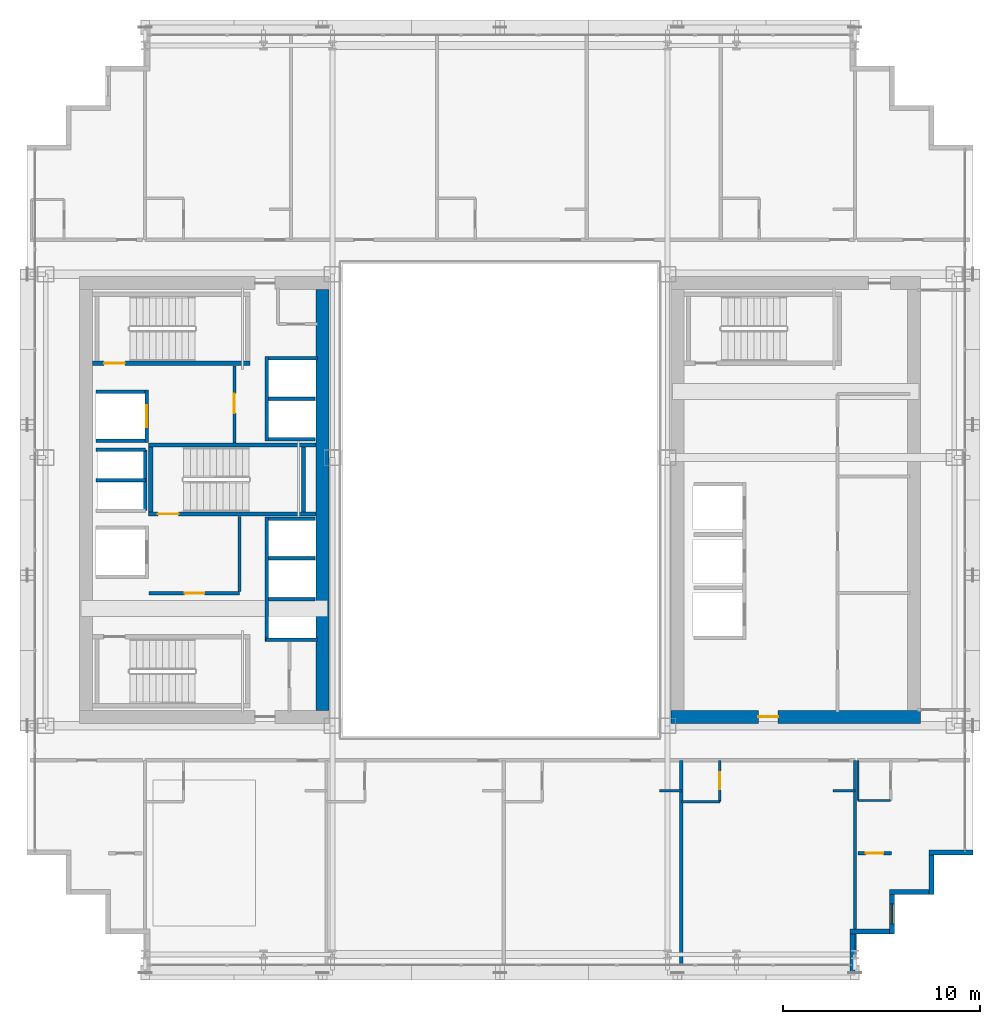
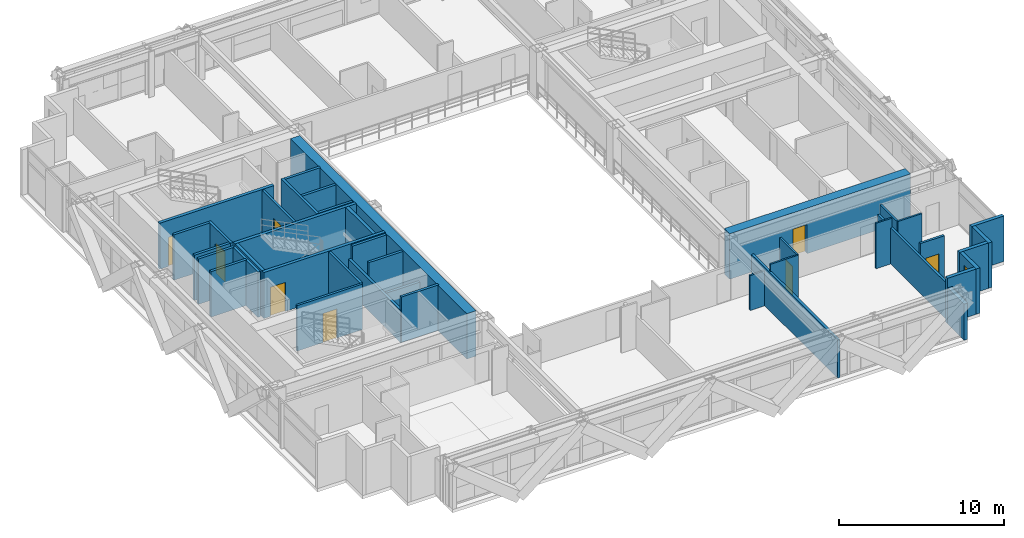
# One storey, part 28 of 35: 40 walls, 8 doors, 1 window, 9 openings.
"""IFC4 building model written with IfcOpenShell, lengths in metres."""

from ifc_helpers import new_model, si_unit, direction, frame, frame_2d, origin, place, context, subcontext, project, spatial, rectangle, extrude, source, transform, mapped, material, layer, layer_set, type_object, element, fill, save


model = new_model("IFC4")

# Units and contexts
model_context = context("Model", 3, precision=1e-05, world=origin(), true_north=direction((0.0, 1.0)))
body_context = subcontext(model_context, "Body", "Model", "MODEL_VIEW")
ifc_project = project(units=[si_unit("LENGTHUNIT", "METRE"), si_unit("AREAUNIT", "SQUARE_METRE"), si_unit("VOLUMEUNIT", "CUBIC_METRE"), si_unit("PLANEANGLEUNIT", "RADIAN"), si_unit("MASSUNIT", "GRAM", prefix="KILO")], contexts=[model_context])

# Site, building, storey
site_placement = place(None, origin())
site = spatial("IfcSite", under=ifc_project, at=site_placement, CompositionType="ELEMENT")
building_placement = place(site_placement, origin())
building = spatial("IfcBuilding", under=site, at=building_placement, Name="Ocotamira Hotel", CompositionType="ELEMENT")
storey_placement = place(building_placement, frame((0.0, 0.0, 115.199951171875)))
storey = spatial("IfcBuildingStorey", under=building, at=storey_placement, Name="L28", CompositionType="ELEMENT", Elevation=115.199951171875)

# Wall
ifc_material_1 = material(Name="Concrete C60/75", Category="concrete")
ifc_layer_1 = layer(ifc_material_1, 0.64990234375)
ifc_layer_set_1 = layer_set([ifc_layer_1], Name="Concrete C60/75")
wall_type_1 = type_object("IfcWallType", Name="WL-CORE-650", PredefinedType="SHEAR", material=ifc_layer_set_1)
wall_1_placement = place(storey_placement, frame((23.0, 15.324951171875, 0.0), z_axis=(0.0, 0.0, 1.0), x_axis=(0.0, 1.0, 0.0)))
element("IfcWall", 1, at=wall_1_placement, inside=storey, type_object=wall_type_1, Name="L28 Shear Core Wall WCORE-E", PredefinedType="SHEAR", context=body_context, shape_type="SweptSolid", body=[
    extrude(rectangle(XDim=21.35009765625, YDim=0.64990234375, at=frame_2d((10.675048828125, 0.0))), origin(), (0.0, 0.0, 1.0), 3.360107421875),
])

# Wall, opening, door
wall_2_placement = place(storey_placement, frame((40.675048828125, 15.0, 0.0), z_axis=(0.0, 0.0, 1.0), x_axis=(1.0, 0.0, 0.0)))
wall_2 = element("IfcWall", 2, at=wall_2_placement, inside=storey, type_object=wall_type_1, Name="L28 Shear Core Wall ECORE-S", PredefinedType="SHEAR", context=body_context, shape_type="SweptSolid", body=[
    extrude(rectangle(XDim=12.64990234375, YDim=0.64990234375, at=frame_2d((6.324951171875, 0.0))), origin(), (0.0, 0.0, 1.0), 3.360107421875),
])
opening_1_placement = place(wall_2_placement, frame((4.425048828125, 0.0, 0.0)))
opening_1 = element("IfcOpeningElement", 3, at=opening_1_placement, cuts=wall_2, Name="Opening D-FR2", PredefinedType="OPENING", context=body_context, shape_type="SweptSolid", body=[
    extrude(rectangle(XDim=1.0, YDim=2.14990234375, at=frame_2d((0.5, 1.074951171875))), frame((0.0, 0.3349609375, 0.0), z_axis=(0.0, -1.0, 0.0), x_axis=(1.0, 0.0, 0.0)), (0.0, 0.0, 1.0), 0.669921875),
])
ifc_material_2 = material(Name="Fire-rated acoustic timber-veneer door", Category="wood")
door_type_1 = type_object("IfcDoorType", Name="DR-FIRE-1000", OperationType="NOTDEFINED", PredefinedType="DOOR", material=ifc_material_2)
shared_shape_1 = source(origin(), body_context, "Body", "SweptSolid", [
    extrude(rectangle(XDim=1.0, YDim=2.14990234375, at=frame_2d((0.5, 1.074951171875))), frame((0.0, 0.02490234375, 0.0), z_axis=(0.0, -1.0, 0.0), x_axis=(1.0, 0.0, 0.0)), (0.0, 0.0, 1.0), 0.050048828125),
])
door_1_placement = place(opening_1_placement, origin())
door_1 = element("IfcDoor", 4, at=door_1_placement, inside=storey, type_object=door_type_1, Name="L28 Door ID-L28-ELOB-S-D [ID-L28-ELOB-S-D]", OperationType="SINGLE_SWING_RIGHT", OverallHeight=2.14990234375, OverallWidth=1.0, PredefinedType="DOOR", context=body_context, shape_type="MappedRepresentation", body=[
    mapped(shared_shape_1, transform((0.0, 0.0, 0.0), scale=1.0)),
])
fill(opening_1, door_1)

# Walls
ifc_material_3 = material(Name="Precast concrete C45/55", Category="concrete")
ifc_layer_2 = layer(ifc_material_3, 0.25)
ifc_layer_set_2 = layer_set([ifc_layer_2], Name="Precast concrete C45/55")
wall_type_2 = type_object("IfcWallType", Name="WL-EXT-SER-250", PredefinedType="SOLIDWALL", material=ifc_layer_set_2)
wall_3_placement = place(storey_placement, frame((49.875, 2.0, 0.0), z_axis=(0.0, 0.0, 1.0), x_axis=(0.0, 1.0, 0.0)))
element("IfcWall", 5, at=wall_3_placement, inside=storey, type_object=wall_type_2, Name="L28 Serrated Corner Wall 01", PredefinedType="SOLIDWALL", context=body_context, shape_type="SweptSolid", body=[
    extrude(rectangle(XDim=2.0, YDim=0.25, at=frame_2d((1.0, 0.0))), origin(), (0.0, 0.0, 1.0), 2.6669921875),
])
wall_4_placement = place(storey_placement, frame((49.75, 4.125, 0.0), z_axis=(0.0, 0.0, 1.0), x_axis=(1.0, 0.0, 0.0)))
element("IfcWall", 6, at=wall_4_placement, inside=storey, type_object=wall_type_2, Name="L28 Serrated Corner Wall 02", PredefinedType="SOLIDWALL", context=body_context, shape_type="SweptSolid", body=[
    extrude(rectangle(XDim=2.0, YDim=0.25, at=frame_2d((1.0, 0.0))), origin(), (0.0, 0.0, 1.0), 3.360107421875),
])

# Wall, opening, window
wall_5_placement = place(storey_placement, frame((51.875, 4.0, 0.0), z_axis=(0.0, 0.0, 1.0), x_axis=(0.0, 1.0, 0.0)))
wall_5 = element("IfcWall", 7, at=wall_5_placement, inside=storey, type_object=wall_type_2, Name="L28 Serrated Corner Wall 03", PredefinedType="SOLIDWALL", context=body_context, shape_type="SweptSolid", body=[
    extrude(rectangle(XDim=2.0, YDim=0.25, at=frame_2d((1.0, 0.0))), origin(), (0.0, 0.0, 1.0), 3.360107421875),
])
opening_2_placement = place(wall_5_placement, frame((0.5, 0.0, 0.85009765625)))
opening_2 = element("IfcOpeningElement", 8, at=opening_2_placement, cuts=wall_5, Name="Opening WN-2", PredefinedType="OPENING", context=body_context, shape_type="SweptSolid", body=[
    extrude(rectangle(XDim=1.0, YDim=1.89990234375, at=frame_2d((0.5, 0.949951171875))), frame((0.0, 0.135009765625, 0.0), z_axis=(0.0, -1.0, 0.0), x_axis=(1.0, 0.0, 0.0)), (0.0, 0.0, 1.0), 0.27001953125),
])
ifc_material_4 = material(Name="Double-silver low-E solar glass", Category="glass")
window_type = type_object("IfcWindowType", Name="WIN-SER-1100", PartitioningType="SINGLE_PANEL", PredefinedType="WINDOW", material=ifc_material_4)
shared_shape_2 = source(origin(), body_context, "Body", "SweptSolid", [
    extrude(rectangle(XDim=1.0, YDim=1.89990234375, at=frame_2d((0.5, 0.949951171875))), frame((0.0, 0.030029296875, 0.0), z_axis=(0.0, -1.0, 0.0), x_axis=(1.0, 0.0, 0.0)), (0.0, 0.0, 1.0), 0.06005859375),
])
window_placement = place(opening_2_placement, origin())
window = element("IfcWindow", 9, at=window_placement, inside=storey, type_object=window_type, Name="L28 Serrated Corner Window 03", OverallHeight=1.89990234375, OverallWidth=1.0, PartitioningType="SINGLE_PANEL", PredefinedType="WINDOW", context=body_context, shape_type="MappedRepresentation", body=[
    mapped(shared_shape_2, transform((0.0, 0.0, 0.0), scale=1.0)),
])
fill(opening_2, window)

# Walls
for number, where, z_axis, x_axis, name in (
    (10, (51.75, 6.125, 0.0), (0.0, 0.0, 1.0), (1.0, 0.0, 0.0), "L28 Serrated Corner Wall 04"),
    (11, (53.875, 6.0, 0.0), (0.0, 0.0, 1.0), (0.0, 1.0, 0.0), "L28 Serrated Corner Wall 05"),
):
    element("IfcWall", number, at=place(storey_placement, frame(where, z_axis=z_axis, x_axis=x_axis)), inside=storey, type_object=wall_type_2, Name=name, PredefinedType="SOLIDWALL", context=body_context, shape_type="SweptSolid", body=[
        extrude(rectangle(XDim=2.0, YDim=0.25, at=frame_2d((1.0, 0.0))), origin(), (0.0, 0.0, 1.0), 3.360107421875),
    ])
wall_6_placement = place(storey_placement, frame((53.75, 8.125, 0.0), z_axis=(0.0, 0.0, 1.0), x_axis=(1.0, 0.0, 0.0)))
element("IfcWall", 12, at=wall_6_placement, inside=storey, type_object=wall_type_2, Name="L28 Serrated Corner Wall 06", PredefinedType="SOLIDWALL", context=body_context, shape_type="SweptSolid", body=[
    extrude(rectangle(XDim=2.25, YDim=0.25, at=frame_2d((1.125, 0.0))), origin(), (0.0, 0.0, 1.0), 3.360107421875),
])

# Wall, opening, door
ifc_material_5 = material(Name="Acoustic double-layer fire gypsum board partition", Category="gypsum")
ifc_layer_3 = layer(ifc_material_5, 0.159912109375)
ifc_layer_set_3 = layer_set([ifc_layer_3], Name="Acoustic double-layer fire gypsum board partition")
wall_type_3 = type_object("IfcWallType", Name="WL-FIRE-160", PredefinedType="PARTITIONING", material=ifc_layer_set_3)
wall_7_placement = place(storey_placement, frame((14.199951171875, 21.27001953125, 0.0), z_axis=(0.0, 0.0, 1.0), x_axis=(1.0, 0.0, 0.0)))
wall_7 = element("IfcWall", 13, at=wall_7_placement, inside=storey, type_object=wall_type_3, Name="L28 Interior Wall PW-L28-FSAE1-S", PredefinedType="PARTITIONING", context=body_context, shape_type="SweptSolid", body=[
    extrude(rectangle(XDim=4.580078125, YDim=0.159912109375, at=frame_2d((2.2900390625, 0.0))), origin(), (0.0, 0.0, 1.0), 3.360107421875),
])
opening_3_placement = place(wall_7_placement, frame((1.800048828125, 0.0, 0.0)))
opening_3 = element("IfcOpeningElement", 14, at=opening_3_placement, cuts=wall_7, Name="Opening D-FR2", PredefinedType="OPENING", context=body_context, shape_type="SweptSolid", body=[
    extrude(rectangle(XDim=1.0, YDim=2.14990234375, at=frame_2d((0.5, 1.074951171875))), frame((0.0, 0.08984375, 0.0), z_axis=(0.0, -1.0, 0.0), x_axis=(1.0, 0.0, 0.0)), (0.0, 0.0, 1.0), 0.179931640625),
])
door_2_placement = place(opening_3_placement, origin())
door_2 = element("IfcDoor", 15, at=door_2_placement, inside=storey, type_object=door_type_1, Name="L28 Door ID-L28-FSAE1-D [ID-L28-FSAE1-D]", OperationType="SINGLE_SWING_LEFT", OverallHeight=2.14990234375, OverallWidth=1.0, PredefinedType="DOOR", context=body_context, shape_type="MappedRepresentation", body=[
    mapped(shared_shape_1, transform((0.0, 0.0, 0.0), scale=1.0)),
])
fill(opening_3, door_2)

# Wall
wall_8_placement = place(storey_placement, frame((18.780029296875, 21.35009765625, 0.0), z_axis=(0.0, 0.0, 1.0), x_axis=(0.0, 1.0, 0.0)))
element("IfcWall", 16, at=wall_8_placement, inside=storey, type_object=wall_type_3, Name="L28 Interior Wall PW-L28-FSAE1-E", PredefinedType="PARTITIONING", context=body_context, shape_type="SweptSolid", body=[
    extrude(rectangle(XDim=3.809814453125, YDim=0.159912109375, at=frame_2d((1.90478515625, 0.0))), origin(), (0.0, 0.0, 1.0), 3.360107421875),
])

# Wall, opening, door
wall_9_placement = place(storey_placement, frame((18.530029296875, 28.89990234375, 0.0), z_axis=(0.0, 0.0, 1.0), x_axis=(0.0, 1.0, 0.0)))
wall_9 = element("IfcWall", 17, at=wall_9_placement, inside=storey, type_object=wall_type_3, Name="L28 Interior Wall PW-L28-FSAE2-E", PredefinedType="PARTITIONING", context=body_context, shape_type="SweptSolid", body=[
    extrude(rectangle(XDim=3.900146484375, YDim=0.159912109375, at=frame_2d((1.9501953125, 0.0))), origin(), (0.0, 0.0, 1.0), 3.360107421875),
])
opening_4_placement = place(wall_9_placement, frame((1.5, 0.0, 0.0)))
opening_4 = element("IfcOpeningElement", 18, at=opening_4_placement, cuts=wall_9, Name="Opening D-FR2", PredefinedType="OPENING", context=body_context, shape_type="SweptSolid", body=[
    extrude(rectangle(XDim=1.0, YDim=2.14990234375, at=frame_2d((0.5, 1.074951171875))), frame((0.0, 0.08984375, 0.0), z_axis=(0.0, -1.0, 0.0), x_axis=(1.0, 0.0, 0.0)), (0.0, 0.0, 1.0), 0.179931640625),
])
door_3_placement = place(opening_4_placement, origin())
door_3 = element("IfcDoor", 19, at=door_3_placement, inside=storey, type_object=door_type_1, Name="L28 Door ID-L28-FSAE2-D [ID-L28-FSAE2-D]", OperationType="SINGLE_SWING_RIGHT", OverallHeight=2.14990234375, OverallWidth=1.0, PredefinedType="DOOR", context=body_context, shape_type="MappedRepresentation", body=[
    mapped(shared_shape_1, transform((0.0, 0.0, 0.0), scale=1.0)),
])
fill(opening_4, door_3)

wall_10_placement = place(storey_placement, frame((50.14990234375, 8.080078125, 0.0), z_axis=(0.0, 0.0, 1.0), x_axis=(1.0, 0.0, 0.0)))
wall_10 = element("IfcWall", 20, at=wall_10_placement, inside=storey, type_object=wall_type_3, Name="L28 Interior Wall PW-L28-Z2B-CSE2-CW", PredefinedType="PARTITIONING", context=body_context, shape_type="SweptSolid", body=[
    extrude(rectangle(XDim=1.7001953125, YDim=0.159912109375, at=frame_2d((0.85009765625, 0.0))), origin(), (0.0, 0.0, 1.0), 3.360107421875),
])
opening_5_placement = place(wall_10_placement, frame((0.409912109375, 0.0, 0.0)))
opening_5 = element("IfcOpeningElement", 21, at=opening_5_placement, cuts=wall_10, Name="Opening D-SV2", PredefinedType="OPENING", context=body_context, shape_type="SweptSolid", body=[
    extrude(rectangle(XDim=0.8798828125, YDim=2.14990234375, at=frame_2d((0.43994140625, 1.074951171875))), frame((0.0, 0.08984375, 0.0), z_axis=(0.0, -1.0, 0.0), x_axis=(1.0, 0.0, 0.0)), (0.0, 0.0, 1.0), 0.179931640625),
])
ifc_material_6 = material(Name="Fire-rated painted steel service door", Category="steel")
door_type_2 = type_object("IfcDoorType", Name="DR-SERV-880", OperationType="NOTDEFINED", PredefinedType="DOOR", material=ifc_material_6)
shared_shape_3 = source(origin(), body_context, "Body", "SweptSolid", [
    extrude(rectangle(XDim=0.8798828125, YDim=2.14990234375, at=frame_2d((0.43994140625, 1.074951171875))), frame((0.0, 0.02490234375, 0.0), z_axis=(0.0, -1.0, 0.0), x_axis=(1.0, 0.0, 0.0)), (0.0, 0.0, 1.0), 0.050048828125),
])
door_4_placement = place(opening_5_placement, origin())
door_4 = element("IfcDoor", 22, at=door_4_placement, inside=storey, type_object=door_type_2, Name="L28 Door ID-L28-Z2B-CSE2-CD [ID-L28-Z2B-CSE2-CD]", OperationType="SINGLE_SWING_LEFT", OverallHeight=2.14990234375, OverallWidth=0.8798828125, PredefinedType="DOOR", context=body_context, shape_type="MappedRepresentation", body=[
    mapped(shared_shape_3, transform((0.0, 0.0, 0.0), scale=1.0)),
])
fill(opening_5, door_4)

# Walls
ifc_material_7 = material(Name="Moisture-resistant en-suite tile and gypsum partition", Category="gypsum")
ifc_layer_4 = layer(ifc_material_7, 0.1201171875)
ifc_layer_set_4 = layer_set([ifc_layer_4], Name="Moisture-resistant en-suite tile and gypsum partition")
wall_type_4 = type_object("IfcWallType", Name="WL-PART-120", PredefinedType="PARTITIONING", material=ifc_layer_set_4)
wall_11_placement = place(storey_placement, frame((50.159912109375, 10.760009765625, 0.0), z_axis=(0.0, 0.0, 1.0), x_axis=(0.0, 1.0, 0.0)))
element("IfcWall", 23, at=wall_11_placement, inside=storey, type_object=wall_type_4, Name="L28 Interior Wall PW-L28-Z2B-CSE-BW", PredefinedType="PARTITIONING", context=body_context, shape_type="SweptSolid", body=[
    extrude(rectangle(XDim=2.0400390625, YDim=0.1201171875, at=frame_2d((1.02001953125, 0.0))), origin(), (0.0, 0.0, 1.0), 3.360107421875),
])
wall_12_placement = place(storey_placement, frame((50.159912109375, 10.760009765625, 0.0), z_axis=(0.0, 0.0, 1.0), x_axis=(1.0, 0.0, 0.0)))
element("IfcWall", 24, at=wall_12_placement, inside=storey, type_object=wall_type_4, Name="L28 Interior Wall PW-L28-Z2B-CSE-BH", PredefinedType="PARTITIONING", context=body_context, shape_type="SweptSolid", body=[
    extrude(rectangle(XDim=1.650146484375, YDim=0.1201171875, at=frame_2d((0.8251953125, 0.0))), origin(), (0.0, 0.0, 1.0), 3.360107421875),
])
wall_13_placement = place(storey_placement, frame((40.10009765625, 11.25, 0.0), z_axis=(0.0, 0.0, 1.0), x_axis=(1.0, 0.0, 0.0)))
element("IfcWall", 25, at=wall_13_placement, inside=storey, type_object=wall_type_4, Name="L28 Interior Wall PW-L28-Z2BS-DRN3", PredefinedType="PARTITIONING", context=body_context, shape_type="SweptSolid", body=[
    extrude(rectangle(XDim=1.099853515625, YDim=0.1201171875, at=frame_2d((0.5498046875, 0.0))), origin(), (0.0, 0.0, 1.0), 2.5810546875),
])

# Wall, opening, door
wall_14_placement = place(storey_placement, frame((43.14990234375, 10.699951171875, 0.0), z_axis=(0.0, 0.0, 1.0), x_axis=(0.0, 1.0, 0.0)))
wall_14 = element("IfcWall", 26, at=wall_14_placement, inside=storey, type_object=wall_type_4, Name="L28 Interior Wall PW-L28-Z2BS-BAE4", PredefinedType="PARTITIONING", context=body_context, shape_type="SweptSolid", body=[
    extrude(rectangle(XDim=2.10009765625, YDim=0.1201171875, at=frame_2d((1.050048828125, 0.0))), origin(), (0.0, 0.0, 1.0), 3.360107421875),
])
opening_6_placement = place(wall_14_placement, frame((0.6201171875, 0.0, 0.0)))
opening_6 = element("IfcOpeningElement", 27, at=opening_6_placement, cuts=wall_14, Name="Opening D-BA1", PredefinedType="OPENING", context=body_context, shape_type="SweptSolid", body=[
    extrude(rectangle(XDim=0.860107421875, YDim=2.10009765625, at=frame_2d((0.43017578125, 1.050048828125))), frame((0.0, 0.070068359375, 0.0), z_axis=(0.0, -1.0, 0.0), x_axis=(1.0, 0.0, 0.0)), (0.0, 0.0, 1.0), 0.14013671875),
])
ifc_material_8 = material(Name="Moisture-sealed en-suite timber door", Category="wood")
door_type_3 = type_object("IfcDoorType", Name="DR-BATH-860", OperationType="NOTDEFINED", PredefinedType="DOOR", material=ifc_material_8)
shared_shape_4 = source(origin(), body_context, "Body", "SweptSolid", [
    extrude(rectangle(XDim=0.860107421875, YDim=2.10009765625, at=frame_2d((0.43017578125, 1.050048828125))), frame((0.0, 0.02490234375, 0.0), z_axis=(0.0, -1.0, 0.0), x_axis=(1.0, 0.0, 0.0)), (0.0, 0.0, 1.0), 0.050048828125),
])
door_5_placement = place(opening_6_placement, origin())
door_5 = element("IfcDoor", 28, at=door_5_placement, inside=storey, type_object=door_type_3, Name="L28 Door ID-L28-Z2BS-BAD4 [ID-L28-Z2BS-BAD4]", OperationType="SINGLE_SWING_LEFT", OverallHeight=2.10009765625, OverallWidth=0.860107421875, PredefinedType="DOOR", context=body_context, shape_type="MappedRepresentation", body=[
    mapped(shared_shape_4, transform((0.0, 0.0, 0.0), scale=1.0)),
])
fill(opening_6, door_5)

# Walls
wall_15_placement = place(storey_placement, frame((41.199951171875, 10.699951171875, 0.0), z_axis=(0.0, 0.0, 1.0), x_axis=(1.0, 0.0, 0.0)))
element("IfcWall", 29, at=wall_15_placement, inside=storey, type_object=wall_type_4, Name="L28 Interior Wall PW-L28-Z2BS-BAS4", PredefinedType="PARTITIONING", context=body_context, shape_type="SweptSolid", body=[
    extrude(rectangle(XDim=1.949951171875, YDim=0.1201171875, at=frame_2d((0.97509765625, 0.0))), origin(), (0.0, 0.0, 1.0), 3.360107421875),
])
wall_16_placement = place(storey_placement, frame((48.89990234375, 11.25, 0.0), z_axis=(0.0, 0.0, 1.0), x_axis=(1.0, 0.0, 0.0)))
element("IfcWall", 30, at=wall_16_placement, inside=storey, type_object=wall_type_4, Name="L28 Interior Wall PW-L28-Z2BS-DRN4", PredefinedType="PARTITIONING", context=body_context, shape_type="SweptSolid", body=[
    extrude(rectangle(XDim=1.10009765625, YDim=0.1201171875, at=frame_2d((0.550048828125, 0.0))), origin(), (0.0, 0.0, 1.0), 3.360107421875),
])
ifc_material_9 = material(Name="Acoustic double-stud hospitality gypsum partition", Category="gypsum")
ifc_layer_5 = layer(ifc_material_9, 0.159912109375)
ifc_layer_set_5 = layer_set([ifc_layer_5], Name="Acoustic double-stud hospitality gypsum partition")
wall_type_5 = type_object("IfcWallType", Name="WL-PART-160", PredefinedType="PARTITIONING", material=ifc_layer_set_5)
wall_17_placement = place(storey_placement, frame((50.0, 2.360107421875, 0.0), z_axis=(0.0, 0.0, 1.0), x_axis=(0.0, 1.0, 0.0)))
element("IfcWall", 31, at=wall_17_placement, inside=storey, type_object=wall_type_5, Name="L28 Interior Wall PW-L28-Z2BS-PWEND", PredefinedType="PARTITIONING", context=body_context, shape_type="SweptSolid", body=[
    extrude(rectangle(XDim=10.43994140625, YDim=0.159912109375, at=frame_2d((5.219970703125, 0.0))), origin(), (0.0, 0.0, 1.0), 2.6669921875),
])
ifc_material_10 = material(Name="Double-stud suite party gypsum partition", Category="gypsum")
ifc_layer_6 = layer(ifc_material_10, 0.175048828125)
ifc_layer_set_6 = layer_set([ifc_layer_6], Name="Double-stud suite party gypsum partition")
wall_type_6 = type_object("IfcWallType", Name="WL-PART-175", PredefinedType="PARTITIONING", material=ifc_layer_set_6)
wall_18_placement = place(storey_placement, frame((41.199951171875, 2.360107421875, 0.0), z_axis=(0.0, 0.0, 1.0), x_axis=(0.0, 1.0, 0.0)))
element("IfcWall", 32, at=wall_18_placement, inside=storey, type_object=wall_type_6, Name="L28 Interior Wall PW-L28-Z2BS-PW3", PredefinedType="PARTITIONING", context=body_context, shape_type="SweptSolid", body=[
    extrude(rectangle(XDim=10.43994140625, YDim=0.175048828125, at=frame_2d((5.219970703125, 0.0))), origin(), (0.0, 0.0, 1.0), 2.822998046875),
])
ifc_material_11 = material(Name="Fire-rated gypsum shaftliner board assembly", Category="gypsum")
ifc_layer_7 = layer(ifc_material_11, 0.179931640625)
ifc_layer_set_7 = layer_set([ifc_layer_7], Name="Fire-rated gypsum shaftliner board assembly")
wall_type_7 = type_object("IfcWallType", Name="WL-SHAFT-180", PredefinedType="SOLIDWALL", material=ifc_layer_set_7)
wall_19_placement = place(storey_placement, frame((20.159912109375, 18.820068359375, 0.0), z_axis=(0.0, 0.0, 1.0), x_axis=(0.0, 1.0, 0.0)))
element("IfcWall", 33, at=wall_19_placement, inside=storey, type_object=wall_type_7, Name="L28 Interior Wall PW-L28-LFW-BANK-high-F", PredefinedType="SOLIDWALL", context=body_context, shape_type="SweptSolid", body=[
    extrude(rectangle(XDim=6.31982421875, YDim=0.179931640625, at=frame_2d((3.159912109375, 0.0))), origin(), (0.0, 0.0, 1.0), 2.360107421875),
])
wall_20_placement = place(storey_placement, frame((20.1201171875, 18.909912109375, 0.0), z_axis=(0.0, 0.0, 1.0), x_axis=(1.0, 0.0, 0.0)))
element("IfcWall", 34, at=wall_20_placement, inside=storey, type_object=wall_type_7, Name="L28 Interior Wall PW-L28-LFW-BANK-high-S", PredefinedType="SOLIDWALL", context=body_context, shape_type="SweptSolid", body=[
    extrude(rectangle(XDim=2.6298828125, YDim=0.179931640625, at=frame_2d((1.31494140625, 0.0))), origin(), (0.0, 0.0, 1.0), 3.360107421875),
])
wall_21_placement = place(storey_placement, frame((20.25, 25.050048828125, 0.0), z_axis=(0.0, 0.0, 1.0), x_axis=(1.0, 0.0, 0.0)))
element("IfcWall", 35, at=wall_21_placement, inside=storey, type_object=wall_type_7, Name="L28 Interior Wall PW-L28-LFW-BANK-high-N", PredefinedType="SOLIDWALL", context=body_context, shape_type="SweptSolid", body=[
    extrude(rectangle(XDim=2.360107421875, YDim=0.179931640625, at=frame_2d((1.18017578125, 0.0))), origin(), (0.0, 0.0, 1.0), 3.360107421875),
])
wall_22_placement = place(storey_placement, frame((20.25, 20.965087890625, 0.0), z_axis=(0.0, 0.0, 1.0), x_axis=(1.0, 0.0, 0.0)))
element("IfcWall", 36, at=wall_22_placement, inside=storey, type_object=wall_type_7, Name="L28 Interior Wall PW-L28-LFW-DIV-LF-P7", PredefinedType="SOLIDWALL", context=body_context, shape_type="SweptSolid", body=[
    extrude(rectangle(XDim=2.360107421875, YDim=0.179931640625, at=frame_2d((1.18017578125, 0.0))), origin(), (0.0, 0.0, 1.0), 2.360107421875),
])
wall_23_placement = place(storey_placement, frame((20.25, 23.044921875, 0.0), z_axis=(0.0, 0.0, 1.0), x_axis=(1.0, 0.0, 0.0)))
element("IfcWall", 37, at=wall_23_placement, inside=storey, type_object=wall_type_7, Name="L28 Interior Wall PW-L28-LFW-DIV-LF-P8", PredefinedType="SOLIDWALL", context=body_context, shape_type="SweptSolid", body=[
    extrude(rectangle(XDim=2.360107421875, YDim=0.179931640625, at=frame_2d((1.18017578125, 0.0))), origin(), (0.0, 0.0, 1.0), 3.360107421875),
])
wall_24_placement = place(storey_placement, frame((20.159912109375, 29.0, 0.0), z_axis=(0.0, 0.0, 1.0), x_axis=(0.0, 1.0, 0.0)))
element("IfcWall", 38, at=wall_24_placement, inside=storey, type_object=wall_type_7, Name="L28 Interior Wall PW-L28-LFW-BANK-obs-F", PredefinedType="SOLIDWALL", context=body_context, shape_type="SweptSolid", body=[
    extrude(rectangle(XDim=4.2900390625, YDim=0.179931640625, at=frame_2d((2.14501953125, 0.0))), origin(), (0.0, 0.0, 1.0), 3.360107421875),
])
wall_25_placement = place(storey_placement, frame((20.25, 29.090087890625, 0.0), z_axis=(0.0, 0.0, 1.0), x_axis=(1.0, 0.0, 0.0)))
element("IfcWall", 39, at=wall_25_placement, inside=storey, type_object=wall_type_7, Name="L28 Interior Wall PW-L28-LFW-BANK-obs-S", PredefinedType="SOLIDWALL", context=body_context, shape_type="SweptSolid", body=[
    extrude(rectangle(XDim=2.360107421875, YDim=0.179931640625, at=frame_2d((1.18017578125, 0.0))), origin(), (0.0, 0.0, 1.0), 3.360107421875),
])
wall_26_placement = place(storey_placement, frame((20.25, 33.199951171875, 0.0), z_axis=(0.0, 0.0, 1.0), x_axis=(1.0, 0.0, 0.0)))
element("IfcWall", 40, at=wall_26_placement, inside=storey, type_object=wall_type_7, Name="L28 Interior Wall PW-L28-LFW-BANK-obs-N", PredefinedType="SOLIDWALL", context=body_context, shape_type="SweptSolid", body=[
    extrude(rectangle(XDim=2.5, YDim=0.179931640625, at=frame_2d((1.25, 0.0))), origin(), (0.0, 0.0, 1.0), 3.360107421875),
])
wall_27_placement = place(storey_placement, frame((20.25, 31.14501953125, 0.0), z_axis=(0.0, 0.0, 1.0), x_axis=(1.0, 0.0, 0.0)))
element("IfcWall", 41, at=wall_27_placement, inside=storey, type_object=wall_type_7, Name="L28 Interior Wall PW-L28-LFW-DIV-LF-OBS1", PredefinedType="SOLIDWALL", context=body_context, shape_type="SweptSolid", body=[
    extrude(rectangle(XDim=2.360107421875, YDim=0.179931640625, at=frame_2d((1.18017578125, 0.0))), origin(), (0.0, 0.0, 1.0), 3.360107421875),
])
for number, where, z_axis, x_axis, name in (
    (42, (11.5, 29.010009765625, 0.0), (0.0, 0.0, 1.0), (1.0, 0.0, 0.0), "L28 Interior Wall PW-L28-LFW-LF-FSAE2-S"),
    (43, (11.5, 31.489990234375, 0.0), (0.0, 0.0, 1.0), (1.0, 0.0, 0.0), "L28 Interior Wall PW-L28-LFW-LF-FSAE2-N"),
):
    element("IfcWall", number, at=place(storey_placement, frame(where, z_axis=z_axis, x_axis=x_axis)), inside=storey, type_object=wall_type_7, Name=name, PredefinedType="SOLIDWALL", context=body_context, shape_type="SweptSolid", body=[
        extrude(rectangle(XDim=2.5, YDim=0.179931640625, at=frame_2d((1.25, 0.0))), origin(), (0.0, 0.0, 1.0), 3.360107421875),
    ])

# Wall, opening, door
wall_28_placement = place(storey_placement, frame((14.090087890625, 28.919921875, 0.0), z_axis=(0.0, 0.0, 1.0), x_axis=(0.0, 1.0, 0.0)))
wall_28 = element("IfcWall", 44, at=wall_28_placement, inside=storey, type_object=wall_type_7, Name="L28 Interior Wall PW-L28-LFW-LF-FSAE2-E", PredefinedType="SOLIDWALL", context=body_context, shape_type="SweptSolid", body=[
    extrude(rectangle(XDim=2.66015625, YDim=0.179931640625, at=frame_2d((1.330078125, 0.0))), origin(), (0.0, 0.0, 1.0), 3.360107421875),
])
opening_7_placement = place(wall_28_placement, frame((0.780029296875, 0.0, 0.0)))
opening_7 = element("IfcOpeningElement", 45, at=opening_7_placement, cuts=wall_28, Name="Opening LD-LF-FSAE2", PredefinedType="OPENING", context=body_context, shape_type="SweptSolid", body=[
    extrude(rectangle(XDim=1.10009765625, YDim=2.199951171875, at=frame_2d((0.550048828125, 1.10009765625))), frame((0.0, 0.10009765625, 0.0), z_axis=(0.0, -1.0, 0.0), x_axis=(1.0, 0.0, 0.0)), (0.0, 0.0, 1.0), 0.199951171875),
])
ifc_material_12 = material(Name="Brushed pale-metal stainless elevator landing door", Category="steel")
door_type_4 = type_object("IfcDoorType", Name="DR-LIFT-1100", OperationType="NOTDEFINED", PredefinedType="DOOR", material=ifc_material_12)
shared_shape_5 = source(origin(), body_context, "Body", "SweptSolid", [
    extrude(rectangle(XDim=1.10009765625, YDim=2.199951171875, at=frame_2d((0.550048828125, 1.10009765625))), frame((0.0, 0.02490234375, 0.0), z_axis=(0.0, -1.0, 0.0), x_axis=(1.0, 0.0, 0.0)), (0.0, 0.0, 1.0), 0.050048828125),
])
door_6_placement = place(opening_7_placement, origin())
door_6 = element("IfcDoor", 46, at=door_6_placement, inside=storey, type_object=door_type_4, Name="L28 Landing Door LD-LF-FSAE2 [ID-L28-LD-LF-FSAE2]", OperationType="DOUBLE_DOOR_SLIDING", OverallHeight=2.199951171875, OverallWidth=1.10009765625, PredefinedType="DOOR", context=body_context, shape_type="MappedRepresentation", body=[
    mapped(shared_shape_5, transform((0.0, 0.0, 0.0), scale=1.0)),
])
fill(opening_7, door_6)

# Walls
for number, where, z_axis, x_axis, name in (
    (47, (11.5, 27.0, 0.0), (0.0, 0.0, 1.0), (1.0, 0.0, 0.0), "L28 Interior Wall PW-L28-RSW-MID"),
    (48, (11.5, 28.5400390625, 0.0), (0.0, 0.0, 1.0), (1.0, 0.0, 0.0), "L28 Interior Wall PW-L28-RSW-N"),
):
    element("IfcWall", number, at=place(storey_placement, frame(where, z_axis=z_axis, x_axis=x_axis)), inside=storey, type_object=wall_type_7, Name=name, PredefinedType="SOLIDWALL", context=body_context, shape_type="SweptSolid", body=[
        extrude(rectangle(XDim=2.510009765625, YDim=0.179931640625, at=frame_2d((1.2548828125, 0.0))), origin(), (0.0, 0.0, 1.0), 3.360107421875),
    ])
wall_29_placement = place(storey_placement, frame((14.010009765625, 25.4599609375, 0.0), z_axis=(0.0, 0.0, 1.0), x_axis=(0.0, 1.0, 0.0)))
element("IfcWall", 49, at=wall_29_placement, inside=storey, type_object=wall_type_7, Name="L28 Interior Wall PW-L28-RSW-E", PredefinedType="SOLIDWALL", context=body_context, shape_type="SweptSolid", body=[
    extrude(rectangle(XDim=3.080078125, YDim=0.179931640625, at=frame_2d((1.5400390625, 0.0))), origin(), (0.0, 0.0, 1.0), 3.360107421875),
])

# Wall, opening, door
ifc_material_13 = material(Name="Concrete C50/60", Category="concrete")
ifc_layer_8 = layer(ifc_material_13, 0.219970703125)
ifc_layer_set_8 = layer_set([ifc_layer_8], Name="Concrete C50/60")
wall_type_8 = type_object("IfcWallType", Name="WL-STAIR-220", PredefinedType="SHEAR", material=ifc_layer_set_8)
wall_30_placement = place(storey_placement, frame((11.324951171875, 32.93994140625, 0.0), z_axis=(0.0, 0.0, 1.0), x_axis=(1.0, 0.0, 0.0)))
wall_30 = element("IfcWall", 50, at=wall_30_placement, inside=storey, type_object=wall_type_8, Name="L28 Stair Shaft Structural Wall ST-2-S", PredefinedType="SHEAR", context=body_context, shape_type="SweptSolid", body=[
    extrude(rectangle(XDim=7.985107421875, YDim=0.219970703125, at=frame_2d((3.99267578125, 0.0))), origin(), (0.0, 0.0, 1.0), 3.400146484375),
])
opening_8_placement = place(wall_30_placement, frame((0.594970703125, 0.0, 0.0)))
opening_8 = element("IfcOpeningElement", 51, at=opening_8_placement, cuts=wall_30, Name="Opening D-ST2", PredefinedType="OPENING", context=body_context, shape_type="SweptSolid", body=[
    extrude(rectangle(XDim=1.050048828125, YDim=2.14990234375, at=frame_2d((0.52490234375, 1.074951171875))), frame((0.0, 0.1201171875, 0.0), z_axis=(0.0, -1.0, 0.0), x_axis=(1.0, 0.0, 0.0)), (0.0, 0.0, 1.0), 0.239990234375),
])
ifc_material_14 = material(Name="Insulated painted hollow-metal fire exit door", Category="steel")
door_type_5 = type_object("IfcDoorType", Name="DR-STAIR-1050", OperationType="NOTDEFINED", PredefinedType="DOOR", material=ifc_material_14)
shared_shape_6 = source(origin(), body_context, "Body", "SweptSolid", [
    extrude(rectangle(XDim=1.050048828125, YDim=2.14990234375, at=frame_2d((0.52490234375, 1.074951171875))), frame((0.0, 0.02490234375, 0.0), z_axis=(0.0, -1.0, 0.0), x_axis=(1.0, 0.0, 0.0)), (0.0, 0.0, 1.0), 0.050048828125),
])
door_7_placement = place(opening_8_placement, origin())
door_7 = element("IfcDoor", 52, at=door_7_placement, inside=storey, type_object=door_type_5, Name="L28 Door ID-L28-STD-ST-2 [ID-L28-STD-ST-2]", OperationType="SINGLE_SWING_RIGHT", OverallHeight=2.14990234375, OverallWidth=1.050048828125, PredefinedType="DOOR", context=body_context, shape_type="MappedRepresentation", body=[
    mapped(shared_shape_6, transform((0.0, 0.0, 0.0), scale=1.0)),
])
fill(opening_8, door_7)

wall_31_placement = place(storey_placement, frame((14.179931640625, 25.2900390625, 0.0), z_axis=(0.0, 0.0, 1.0), x_axis=(1.0, 0.0, 0.0)))
wall_31 = element("IfcWall", 53, at=wall_31_placement, inside=storey, type_object=wall_type_8, Name="L28 Stair Shaft Structural Wall ST-3-S", PredefinedType="SHEAR", context=body_context, shape_type="SweptSolid", body=[
    extrude(rectangle(XDim=8.4951171875, YDim=0.219970703125, at=frame_2d((4.24755859375, 0.0))), origin(), (0.0, 0.0, 1.0), 3.400146484375),
])
opening_9_placement = place(wall_31_placement, frame((0.469970703125, 0.0, 0.0)))
opening_9 = element("IfcOpeningElement", 54, at=opening_9_placement, cuts=wall_31, Name="Opening D-ST2", PredefinedType="OPENING", context=body_context, shape_type="SweptSolid", body=[
    extrude(rectangle(XDim=1.050048828125, YDim=2.14990234375, at=frame_2d((0.52490234375, 1.074951171875))), frame((0.0, 0.1201171875, 0.0), z_axis=(0.0, -1.0, 0.0), x_axis=(1.0, 0.0, 0.0)), (0.0, 0.0, 1.0), 0.239990234375),
])
door_8_placement = place(opening_9_placement, origin())
door_8 = element("IfcDoor", 55, at=door_8_placement, inside=storey, type_object=door_type_5, Name="L28 Door ID-L28-STD-ST-3 [ID-L28-STD-ST-3]", OperationType="SINGLE_SWING_LEFT", OverallHeight=2.14990234375, OverallWidth=1.050048828125, PredefinedType="DOOR", context=body_context, shape_type="MappedRepresentation", body=[
    mapped(shared_shape_6, transform((0.0, 0.0, 0.0), scale=1.0)),
])
fill(opening_9, door_8)

# Walls
wall_32_placement = place(storey_placement, frame((14.179931640625, 28.7900390625, 0.0), z_axis=(0.0, 0.0, 1.0), x_axis=(1.0, 0.0, 0.0)))
element("IfcWall", 56, at=wall_32_placement, inside=storey, type_object=wall_type_8, Name="L28 Stair Shaft Structural Wall ST-3-N", PredefinedType="SHEAR", context=body_context, shape_type="SweptSolid", body=[
    extrude(rectangle(XDim=8.4951171875, YDim=0.219970703125, at=frame_2d((4.24755859375, 0.0))), origin(), (0.0, 0.0, 1.0), 3.400146484375),
])
for number, where, z_axis, x_axis, name in (
    (57, (14.2900390625, 25.39990234375, 0.0), (0.0, 0.0, 1.0), (0.0, 1.0, 0.0), "L28 Stair Shaft Structural Wall ST-3-W"),
    (58, (22.030029296875, 25.39990234375, 0.0), (0.0, 0.0, 1.0), (0.0, 1.0, 0.0), "L28 Stair Shaft Structural Wall ST-3-E"),
):
    element("IfcWall", number, at=place(storey_placement, frame(where, z_axis=z_axis, x_axis=x_axis)), inside=storey, type_object=wall_type_8, Name=name, PredefinedType="SHEAR", context=body_context, shape_type="SweptSolid", body=[
        extrude(rectangle(XDim=3.280029296875, YDim=0.219970703125, at=frame_2d((1.64013671875, 0.0))), origin(), (0.0, 0.0, 1.0), 3.400146484375),
    ])

save(model, "model.ifc")
